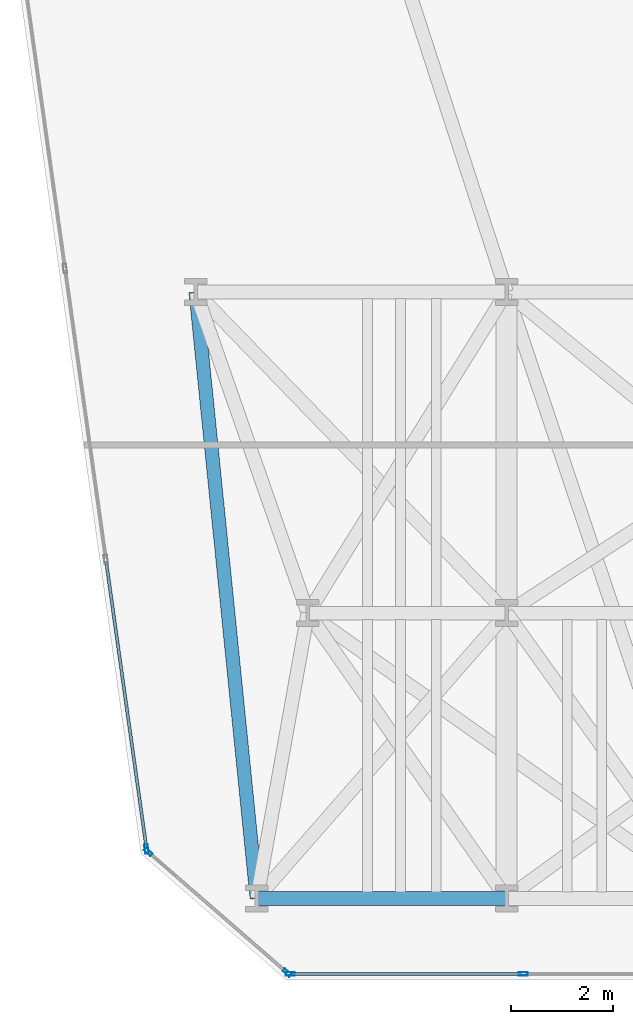
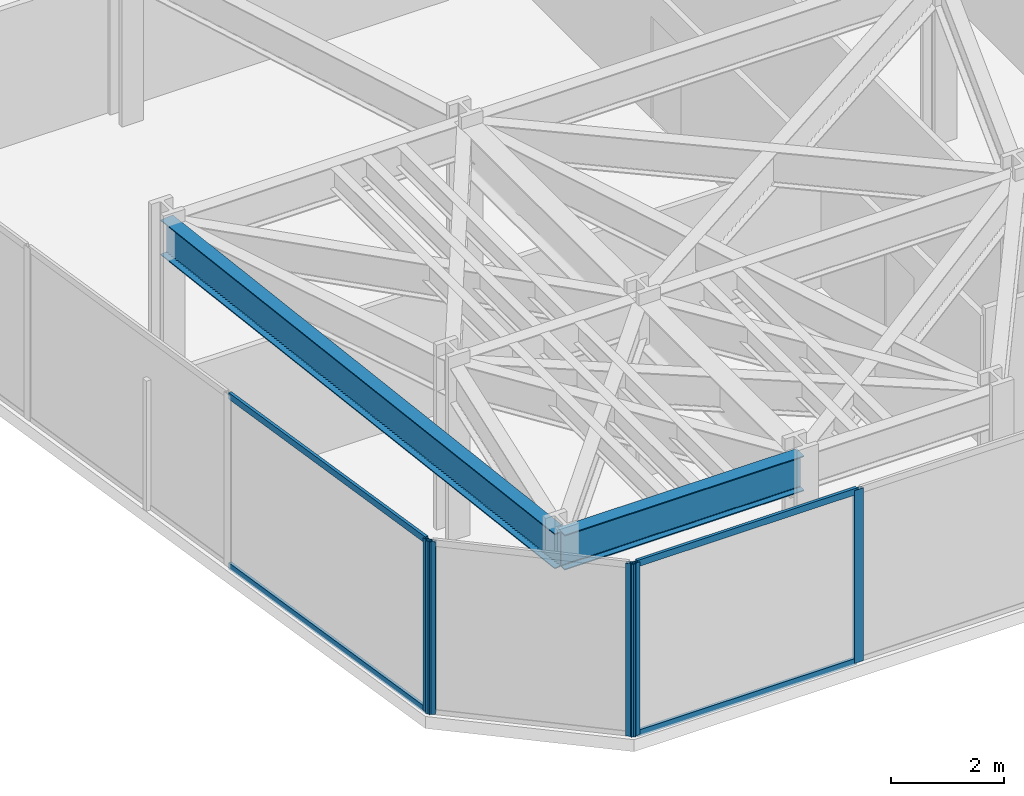
# One storey, part 2 of 24: 9 members, 2 beams, 3 elements without a shape of their own.
"""IFC4 building model written with IfcOpenShell, lengths in metres."""

from ifc_helpers import new_model, si_unit, direction, frame, origin, origin_2d, place, context, subcontext, project, spatial, hollow_rectangle, i_section, extrude, material, layer, layer_set, material_profile, profile_set, type_object, element, aggregate, save


model = new_model("IFC4")

# Units and contexts
model_context = context("Model", 3, precision=1e-05, world=origin(), true_north=direction((0.0, 1.0)))
body_context = subcontext(model_context, "Body", "Model", "MODEL_VIEW")
ifc_project = project(units=[si_unit("LENGTHUNIT", "METRE"), si_unit("AREAUNIT", "SQUARE_METRE"), si_unit("VOLUMEUNIT", "CUBIC_METRE"), si_unit("PLANEANGLEUNIT", "RADIAN"), si_unit("MASSUNIT", "GRAM", prefix="KILO")], contexts=[model_context])

# Site, building, storey
site_placement = place(None, origin())
site = spatial("IfcSite", under=ifc_project, at=site_placement, CompositionType="ELEMENT")
building_placement = place(site_placement, origin())
building = spatial("IfcBuilding", under=site, at=building_placement, Name="Kravanh Interchange Tower", CompositionType="ELEMENT")
storey_placement = place(building_placement, frame((0.0, 0.0, 45.5)))
storey = spatial("IfcBuildingStorey", under=building, at=storey_placement, Name="L10", CompositionType="ELEMENT", Elevation=45.5)

# Curtain wall, member
ifc_material_1 = material(Name="Anodised Bronze Aluminium", Category="aluminium")
ifc_layer = layer(ifc_material_1, 0.179931640625)
ifc_layer_set = layer_set([ifc_layer], Name="Unitised Curtain Wall System CW-Z1 Lower Office")
curtain_wall_type = type_object("IfcCurtainWallType", Name="Unitised Curtain Wall System CW-Z1 Lower Office", PredefinedType="NOTDEFINED", material=ifc_layer_set)
curtain_wall_1_placement = place(storey_placement, origin())
curtain_wall_1 = element("IfcCurtainWall", 1, at=curtain_wall_1_placement, inside=storey, type_object=curtain_wall_type, Name="L10 Unitised Curtain Wall CW-L10-01", PredefinedType="NOTDEFINED")
ifc_material_2 = material(Name="Anodised Bronze Aluminium", Category="aluminium")
ifc_material_profile_1 = material_profile(ifc_material_2, hollow_rectangle(XDim=0.070068359375, YDim=0.179931640625, WallThickness=0.00390625, at=origin_2d()), Name="ALU70X180X4")
ifc_profile_set_1 = profile_set([ifc_material_profile_1], Name="Anodised Bronze Aluminium")
member_type_1 = type_object("IfcMemberType", Name="Curtain Wall Mullion ALU70X180X4 Bronze", PredefinedType="MULLION", material=ifc_profile_set_1)
member_1_placement = place(storey_placement, frame((10.435546875, 3.571533203125, 0.0), z_axis=(0.0, 0.0, 1.0), x_axis=(-0.990267585682, -0.139176538065, 0.0)))
member_1 = element("IfcMember", 2, at=member_1_placement, type_object=member_type_1, Name="CW-Z1 mullion 1", PredefinedType="MULLION", context=body_context, shape_type="SweptSolid", body=[
    extrude(hollow_rectangle(XDim=0.070068359375, YDim=0.179931640625, WallThickness=0.00390625, at=origin_2d()), origin(), (0.0, 0.0, 1.0), 3.739990234375),
])

# Curtain wall, members
curtain_wall_2_placement = place(storey_placement, origin())
curtain_wall_2 = element("IfcCurtainWall", 3, at=curtain_wall_2_placement, inside=storey, type_object=curtain_wall_type, Name="L10 Unitised Curtain Wall CW-L10-06", PredefinedType="NOTDEFINED")
member_2_placement = place(storey_placement, frame((17.8271484375, 1.1201171875, 0.0), z_axis=(0.0, 0.0, 1.0), x_axis=(0.0, -1.0, 0.0)))
member_2 = element("IfcMember", 4, at=member_2_placement, type_object=member_type_1, Name="CW-Z1 mullion 2", PredefinedType="MULLION", context=body_context, shape_type="SweptSolid", body=[
    extrude(hollow_rectangle(XDim=0.070068359375, YDim=0.179931640625, WallThickness=0.00390625, at=origin_2d()), origin(), (0.0, 0.0, 1.0), 3.739990234375),
])
member_3_placement = place(storey_placement, frame((13.255615234375, 1.1201171875, 0.0), z_axis=(0.0, 0.0, 1.0), x_axis=(0.0, -1.0, 0.0)))
member_3 = element("IfcMember", 5, at=member_3_placement, type_object=member_type_1, Name="CW-Z1 mullion 3", PredefinedType="MULLION", context=body_context, shape_type="SweptSolid", body=[
    extrude(hollow_rectangle(XDim=0.070068359375, YDim=0.179931640625, WallThickness=0.00390625, at=origin_2d()), origin(), (0.0, 0.0, 1.0), 3.739990234375),
])

curtain_wall_3_placement = place(storey_placement, origin())
curtain_wall_3 = element("IfcCurtainWall", 6, at=curtain_wall_3_placement, inside=storey, type_object=curtain_wall_type, Name="L10 Unitised Curtain Wall CW-L10-07", PredefinedType="NOTDEFINED")
member_4_placement = place(storey_placement, frame((13.194091796875, 1.14306640625, 0.0), z_axis=(0.0, 0.0, 1.0), x_axis=(-0.656060422341, -0.754708368999, 0.0)))
member_4 = element("IfcMember", 7, at=member_4_placement, type_object=member_type_1, Name="CW-Z1 mullion 1", PredefinedType="MULLION", context=body_context, shape_type="SweptSolid", body=[
    extrude(hollow_rectangle(XDim=0.070068359375, YDim=0.179931640625, WallThickness=0.00390625, at=origin_2d()), origin(), (0.0, 0.0, 1.0), 3.739990234375),
])
member_5_placement = place(storey_placement, frame((10.466796875, 3.513916015625, 0.0), z_axis=(0.0, 0.0, 1.0), x_axis=(-0.656060422341, -0.754708368999, 0.0)))
member_5 = element("IfcMember", 8, at=member_5_placement, type_object=member_type_1, Name="CW-Z1 mullion 2", PredefinedType="MULLION", context=body_context, shape_type="SweptSolid", body=[
    extrude(hollow_rectangle(XDim=0.070068359375, YDim=0.179931640625, WallThickness=0.00390625, at=origin_2d()), origin(), (0.0, 0.0, 1.0), 3.739990234375),
])
aggregate(curtain_wall_3, [member_4, member_5])

# Member
ifc_material_3 = material(Name="Anodised Bronze Aluminium", Category="aluminium")
ifc_material_profile_2 = material_profile(ifc_material_3, hollow_rectangle(XDim=0.06005859375, YDim=0.139892578125, WallThickness=0.00390625, at=origin_2d()), Name="ALU60X140X4")
ifc_profile_set_2 = profile_set([ifc_material_profile_2], Name="Anodised Bronze Aluminium")
member_type_2 = type_object("IfcMemberType", Name="Curtain Wall Transom ALU60X140X4 Bronze", PredefinedType="USERDEFINED", material=ifc_profile_set_2)
member_6_placement = place(storey_placement, frame((10.4306640625, 3.606201171875, 0.030029296875), z_axis=(-0.139199330487, 0.990264382068, 0.0), x_axis=(-0.990264382068, -0.139199330487, 0.0)))
member_6 = element("IfcMember", 9, at=member_6_placement, type_object=member_type_2, Name="CW-Z1 transom 1.1", ObjectType="TRANSOM", PredefinedType="USERDEFINED", context=body_context, shape_type="SweptSolid", body=[
    extrude(hollow_rectangle(XDim=0.06005859375, YDim=0.139892578125, WallThickness=0.00390625, at=origin_2d()), origin(), (0.0, 0.0, 1.0), 5.66162109375),
])

member_7_placement = place(storey_placement, frame((10.4306640625, 3.606201171875, 3.7099609375), z_axis=(-0.139199330487, 0.990264382068, 0.0), x_axis=(-0.990264382068, -0.139199330487, 0.0)))
member_7 = element("IfcMember", 10, at=member_7_placement, type_object=member_type_2, Name="CW-Z1 transom 1.2", ObjectType="TRANSOM", PredefinedType="USERDEFINED", context=body_context, shape_type="SweptSolid", body=[
    extrude(hollow_rectangle(XDim=0.06005859375, YDim=0.139892578125, WallThickness=0.00390625, at=origin_2d()), origin(), (0.0, 0.0, 1.0), 5.66162109375),
])

aggregate(curtain_wall_1, [member_1, member_6, member_7])

member_8_placement = place(storey_placement, frame((17.792236328125, 1.1201171875, 0.030029296875), z_axis=(-1.0, 0.0, 0.0), x_axis=(0.0, -1.0, 0.0)))
member_8 = element("IfcMember", 11, at=member_8_placement, type_object=member_type_2, Name="CW-Z1 transom 2.1", ObjectType="TRANSOM", PredefinedType="USERDEFINED", context=body_context, shape_type="SweptSolid", body=[
    extrude(hollow_rectangle(XDim=0.06005859375, YDim=0.139892578125, WallThickness=0.00390625, at=origin_2d()), origin(), (0.0, 0.0, 1.0), 4.501708984375),
])

member_9_placement = place(storey_placement, frame((17.792236328125, 1.1201171875, 3.7099609375), z_axis=(-1.0, 0.0, 0.0), x_axis=(0.0, -1.0, 0.0)))
member_9 = element("IfcMember", 12, at=member_9_placement, type_object=member_type_2, Name="CW-Z1 transom 2.2", ObjectType="TRANSOM", PredefinedType="USERDEFINED", context=body_context, shape_type="SweptSolid", body=[
    extrude(hollow_rectangle(XDim=0.06005859375, YDim=0.139892578125, WallThickness=0.00390625, at=origin_2d()), origin(), (0.0, 0.0, 1.0), 4.501708984375),
])

aggregate(curtain_wall_2, [member_2, member_3, member_8, member_9])

# Beams
ifc_material_4 = material(Name="Structural Steel S355", Category="steel")
ifc_material_profile_3 = material_profile(ifc_material_4, i_section(OverallWidth=0.26708984375, OverallDepth=0.761962890625, WebThickness=0.014404296875, FlangeThickness=0.021484375, FilletRadius=0.02490234375, at=origin_2d()), Name="W30X116")
ifc_profile_set_3 = profile_set([ifc_material_profile_3], Name="Structural Steel S355")
beam_type = type_object("IfcBeamType", Name="Floor Spandrel W30X116 Structural Steel S355", PredefinedType="SPANDREL", material=ifc_profile_set_3)
beam_1_placement = place(storey_placement, frame((12.60009765625, 2.60009765625, 3.35888671875), z_axis=(1.0, 0.0, 0.0), x_axis=(0.0, 1.0, 0.0)))
element("IfcBeam", 13, at=beam_1_placement, inside=storey, type_object=beam_type, Name="L10 Perimeter Spandrel 38", PredefinedType="SPANDREL", context=body_context, shape_type="SweptSolid", body=[
    extrude(i_section(OverallWidth=0.26708984375, OverallDepth=0.761962890625, WebThickness=0.014404296875, FlangeThickness=0.021484375, FilletRadius=0.02490234375, at=origin_2d()), origin(), (0.0, 0.0, 1.0), 4.89990234375),
])
beam_2_placement = place(storey_placement, frame((12.60009765625, 2.60009765625, 3.35888671875), z_axis=(-0.100348483042, 0.994952351598, 0.0), x_axis=(-0.994952351598, -0.100348483042, 0.0)))
element("IfcBeam", 14, at=beam_2_placement, inside=storey, type_object=beam_type, Name="L10 Perimeter Spandrel 41", PredefinedType="SPANDREL", context=body_context, shape_type="SweptSolid", body=[
    extrude(i_section(OverallWidth=0.26708984375, OverallDepth=0.761962890625, WebThickness=0.014404296875, FlangeThickness=0.021484375, FilletRadius=0.02490234375, at=origin_2d()), origin(), (0.0, 0.0, 1.0), 11.960205078125),
])

save(model, "model.ifc")
